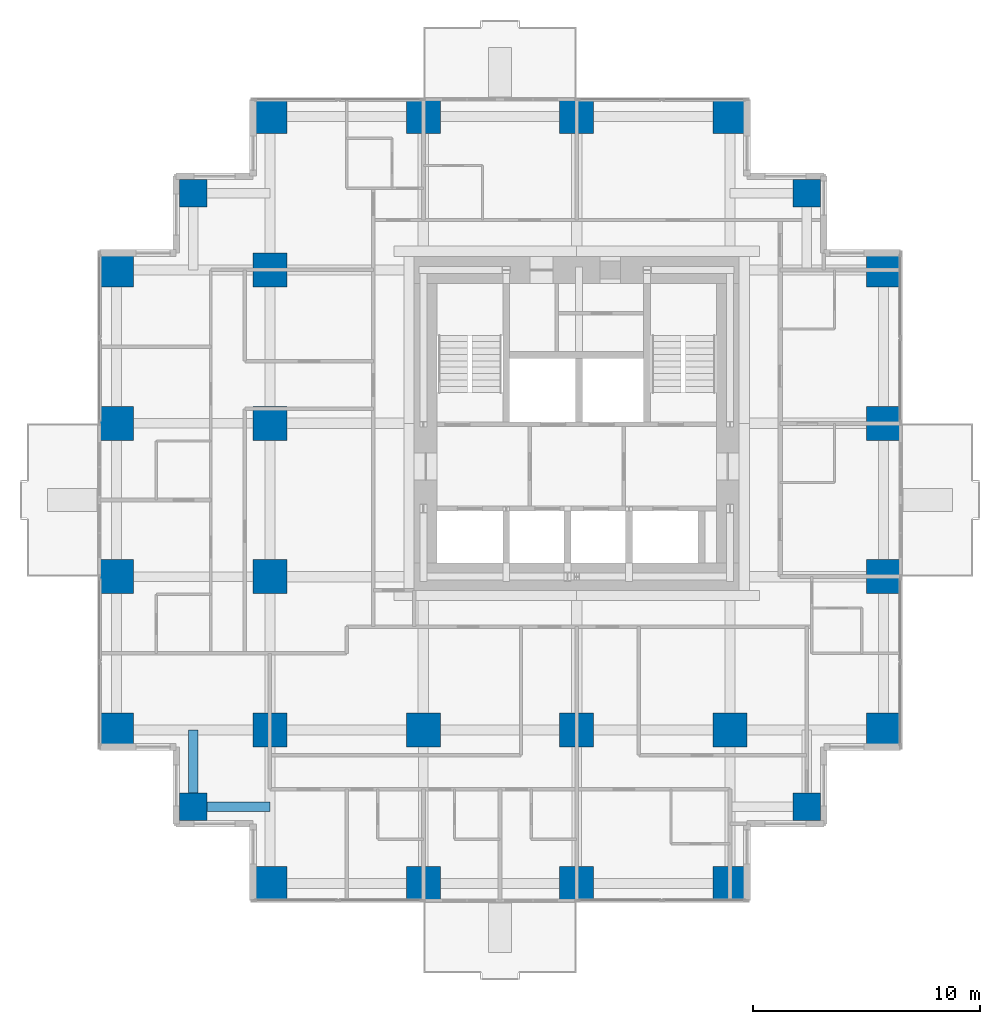
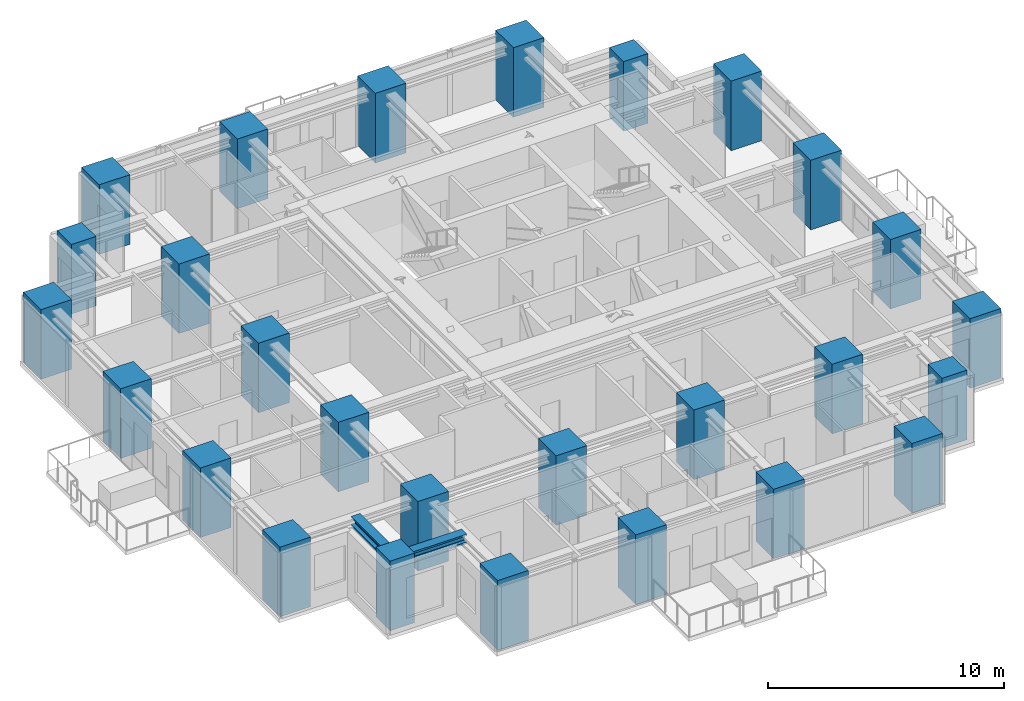
# One storey, part 1 of 10: 27 columns, 2 beams.
"""IFC4 building model written with IfcOpenShell, lengths in metres."""

from ifc_helpers import new_model, si_unit, direction, frame, origin, origin_2d, place, context, subcontext, project, spatial, rectangle, i_section, extrude, material, material_profile, profile_set, type_object, element, save


model = new_model("IFC4")

# Units and contexts
model_context = context("Model", 3, precision=1e-05, world=origin(), true_north=direction((0.0, 1.0)))
body_context = subcontext(model_context, "Body", "Model", "MODEL_VIEW")
ifc_project = project(units=[si_unit("LENGTHUNIT", "METRE"), si_unit("AREAUNIT", "SQUARE_METRE"), si_unit("VOLUMEUNIT", "CUBIC_METRE"), si_unit("PLANEANGLEUNIT", "RADIAN"), si_unit("MASSUNIT", "GRAM", prefix="KILO")], contexts=[model_context])

# Site, building, storey
site_placement = place(None, origin())
site = spatial("IfcSite", under=ifc_project, at=site_placement, CompositionType="ELEMENT")
building_placement = place(site_placement, origin())
building = spatial("IfcBuilding", under=site, at=building_placement, Name="Nyansa Garden Tower", CompositionType="ELEMENT")
storey_placement = place(building_placement, frame((0.0, 0.0, 149.39990234375)))
storey = spatial("IfcBuildingStorey", under=building, at=storey_placement, Name="L40", CompositionType="ELEMENT", Elevation=149.39990234375)

# Columns
ifc_material_1 = material(Name="Concrete C70/85", Category="concrete")
ifc_material_profile_1 = material_profile(ifc_material_1, rectangle(XDim=1.199951171875, YDim=1.199951171875, at=origin_2d()), Name="RC 1200x1200")
ifc_profile_set_1 = profile_set([ifc_material_profile_1], Name="Concrete C70/85")
column_type_1 = type_object("IfcColumnType", Name="Column C120 RC 1200x1200", PredefinedType="COLUMN", material=ifc_profile_set_1)
for number, where, z_axis, x_axis, name in (
    (1, (3.375, 3.375, 0.0), (0.0, 0.0, 1.0), (1.0, 0.0, 0.0), "Column x3.375/y3.375 L40"),
    (2, (3.375, 30.375, 0.0), (0.0, 0.0, 1.0), (1.0, 0.0, 0.0), "Column x3.375/y30.375 L40"),
    (3, (30.375, 3.375, 0.0), (0.0, 0.0, 1.0), (1.0, 0.0, 0.0), "Column x30.375/y3.375 L40"),
    (4, (30.375, 30.375, 0.0), (0.0, 0.0, 1.0), (1.0, 0.0, 0.0), "Column x30.375/y30.375 L40"),
):
    element("IfcColumn", number, at=place(storey_placement, frame(where, z_axis=z_axis, x_axis=x_axis)), inside=storey, type_object=column_type_1, Name=name, PredefinedType="COLUMN", context=body_context, shape_type="SweptSolid", body=[
        extrude(rectangle(XDim=1.199951171875, YDim=1.199951171875, at=origin_2d()), origin(), (0.0, 0.0, 1.0), 3.60009765625),
    ])
ifc_material_2 = material(Name="Concrete C80/95", Category="concrete")
ifc_material_profile_2 = material_profile(ifc_material_2, rectangle(XDim=1.5, YDim=1.5, at=origin_2d()), Name="RC 1500x1500")
ifc_profile_set_2 = profile_set([ifc_material_profile_2], Name="Concrete C80/95")
column_type_2 = type_object("IfcColumnType", Name="Column C150 RC 1500x1500", PredefinedType="COLUMN", material=ifc_profile_set_2)
for number, where, z_axis, x_axis, name in (
    (5, (0.0, 6.75, 0.0), (0.0, 0.0, 1.0), (1.0, 0.0, 0.0), "Column 2/E L40"),
    (6, (0.0, 13.5, 0.0), (0.0, 0.0, 1.0), (1.0, 0.0, 0.0), "Column 2/F L40"),
    (7, (0.0, 20.25, 0.0), (0.0, 0.0, 1.0), (1.0, 0.0, 0.0), "Column 2/G L40"),
    (8, (0.0, 27.0, 0.0), (0.0, 0.0, 1.0), (1.0, 0.0, 0.0), "Column 2/H L40"),
    (9, (6.75, 0.0, 0.0), (0.0, 0.0, 1.0), (1.0, 0.0, 0.0), "Column 3/D L40"),
    (10, (6.75, 6.75, 0.0), (0.0, 0.0, 1.0), (1.0, 0.0, 0.0), "Column 3/E L40"),
    (11, (6.75, 13.5, 0.0), (0.0, 0.0, 1.0), (1.0, 0.0, 0.0), "Column 3/F L40"),
    (12, (6.75, 20.25, 0.0), (0.0, 0.0, 1.0), (1.0, 0.0, 0.0), "Column 3/G L40"),
    (13, (6.75, 27.0, 0.0), (0.0, 0.0, 1.0), (1.0, 0.0, 0.0), "Column 3/H L40"),
    (14, (6.75, 33.75, 0.0), (0.0, 0.0, 1.0), (1.0, 0.0, 0.0), "Column 3/J L40"),
    (15, (13.5, 0.0, 0.0), (0.0, 0.0, 1.0), (1.0, 0.0, 0.0), "Column 4/D L40"),
    (16, (13.5, 6.75, 0.0), (0.0, 0.0, 1.0), (1.0, 0.0, 0.0), "Column 4/E L40"),
    (17, (13.5, 33.75, 0.0), (0.0, 0.0, 1.0), (1.0, 0.0, 0.0), "Column 4/J L40"),
    (18, (20.25, 0.0, 0.0), (0.0, 0.0, 1.0), (1.0, 0.0, 0.0), "Column 5/D L40"),
    (19, (20.25, 6.75, 0.0), (0.0, 0.0, 1.0), (1.0, 0.0, 0.0), "Column 5/E L40"),
    (20, (20.25, 33.75, 0.0), (0.0, 0.0, 1.0), (1.0, 0.0, 0.0), "Column 5/J L40"),
    (21, (27.0, 0.0, 0.0), (0.0, 0.0, 1.0), (1.0, 0.0, 0.0), "Column 6/D L40"),
    (22, (27.0, 6.75, 0.0), (0.0, 0.0, 1.0), (1.0, 0.0, 0.0), "Column 6/E L40"),
    (23, (27.0, 33.75, 0.0), (0.0, 0.0, 1.0), (1.0, 0.0, 0.0), "Column 6/J L40"),
    (24, (33.75, 6.75, 0.0), (0.0, 0.0, 1.0), (1.0, 0.0, 0.0), "Column 7/E L40"),
    (25, (33.75, 13.5, 0.0), (0.0, 0.0, 1.0), (1.0, 0.0, 0.0), "Column 7/F L40"),
    (26, (33.75, 20.25, 0.0), (0.0, 0.0, 1.0), (1.0, 0.0, 0.0), "Column 7/G L40"),
    (27, (33.75, 27.0, 0.0), (0.0, 0.0, 1.0), (1.0, 0.0, 0.0), "Column 7/H L40"),
):
    element("IfcColumn", number, at=place(storey_placement, frame(where, z_axis=z_axis, x_axis=x_axis)), inside=storey, type_object=column_type_2, Name=name, PredefinedType="COLUMN", context=body_context, shape_type="SweptSolid", body=[
        extrude(rectangle(XDim=1.5, YDim=1.5, at=origin_2d()), origin(), (0.0, 0.0, 1.0), 3.60009765625),
    ])

# Beams
ifc_material_3 = material(Name="Steel S355", Category="steel")
ifc_material_profile_3 = material_profile(ifc_material_3, i_section(OverallWidth=0.431884765625, OverallDepth=0.498046875, WebThickness=0.0556640625, FlangeThickness=0.0888671875, FilletRadius=0.014892578125, at=origin_2d()), Name="HD 400x744")
ifc_profile_set_3 = profile_set([ifc_material_profile_3], Name="Steel S355")
beam_type = type_object("IfcBeamType", Name="Steel beam SSB1-744 HD 400x744", PredefinedType="BEAM", material=ifc_profile_set_3)
for number, where, z_axis, x_axis, name in (
    (28, (3.375, 3.375, 3.1259765625), (0.0, 1.0, 0.0), (-1.0, 0.0, 0.0), "Steel step beam 3.375/3.375 L41"),
    (29, (3.375, 3.375, 3.1259765625), (1.0, 0.0, 0.0), (0.0, 1.0, 0.0), "Steel step beam 3.375/3.375 L41"),
):
    element("IfcBeam", number, at=place(storey_placement, frame(where, z_axis=z_axis, x_axis=x_axis)), inside=storey, type_object=beam_type, Name=name, PredefinedType="BEAM", context=body_context, shape_type="SweptSolid", body=[
        extrude(i_section(OverallWidth=0.431884765625, OverallDepth=0.498046875, WebThickness=0.0556640625, FlangeThickness=0.0888671875, FilletRadius=0.014892578125, at=origin_2d()), origin(), (0.0, 0.0, 1.0), 3.375),
    ])

save(model, "model.ifc")
